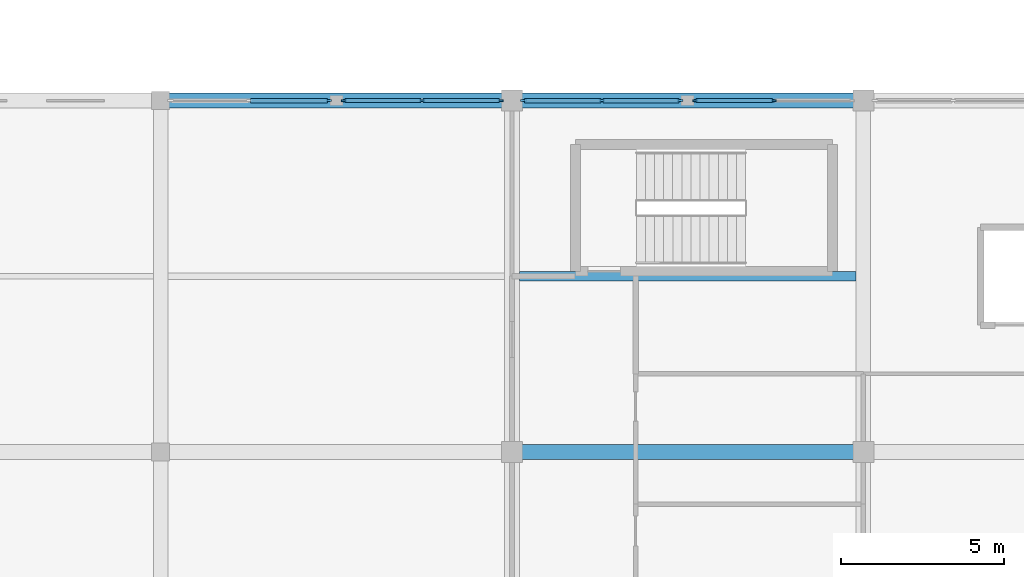
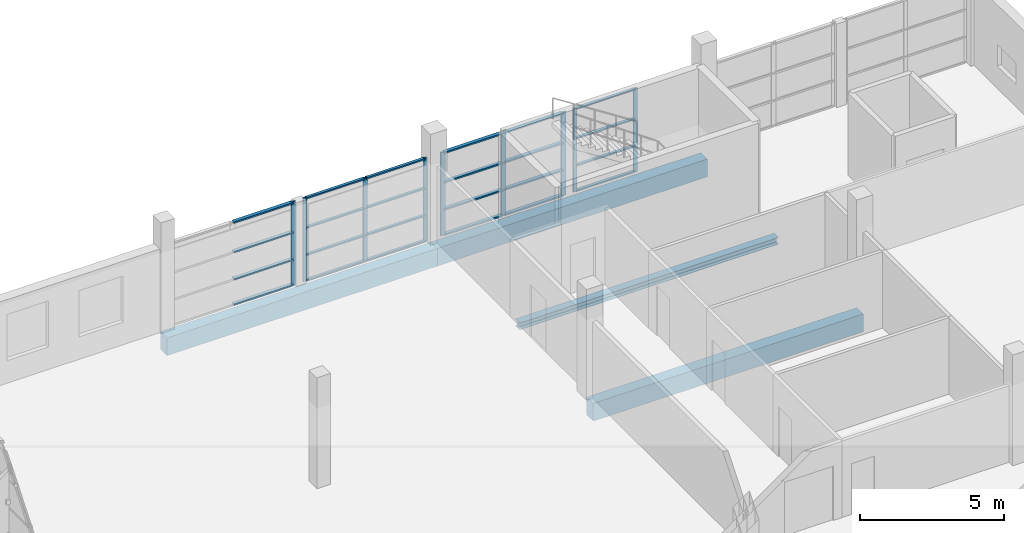
# One storey, part 8 of 24: 33 members, 4 beams, 4 elements without a shape of their own.
"""IFC4 building model written with IfcOpenShell, lengths in metres."""

from ifc_helpers import new_model, si_unit, direction, frame, origin, origin_2d, place, context, subcontext, project, spatial, rectangle, i_section, extrude, material, material_profile, profile_set, type_object, element, aggregate, save


model = new_model("IFC4")

# Units and contexts
model_context = context("Model", 3, precision=1e-05, world=origin(), true_north=direction((0.0, 1.0)))
body_context = subcontext(model_context, "Body", "Model", "MODEL_VIEW")
ifc_project = project(units=[si_unit("LENGTHUNIT", "METRE"), si_unit("AREAUNIT", "SQUARE_METRE"), si_unit("VOLUMEUNIT", "CUBIC_METRE"), si_unit("PLANEANGLEUNIT", "RADIAN"), si_unit("MASSUNIT", "GRAM", prefix="KILO")], contexts=[model_context])

# Site, building, storey
site_placement = place(None, origin())
site = spatial("IfcSite", under=ifc_project, at=site_placement, CompositionType="ELEMENT")
building_placement = place(site_placement, origin())
building = spatial("IfcBuilding", under=site, at=building_placement, Name="Zwinboog Wholesale Market", CompositionType="ELEMENT")
storey_placement = place(building_placement, frame((0.0, 0.0, 10.080078125)))
storey = spatial("IfcBuildingStorey", under=building, at=storey_placement, Name="L02", CompositionType="ELEMENT", Elevation=10.080078125)

# Beams
ifc_material_1 = material(Name="Precast concrete C45/55", Category="concrete")
ifc_material_profile_1 = material_profile(ifc_material_1, rectangle(XDim=0.449951171875, YDim=0.75, at=origin_2d()), Name="PC 450x750")
ifc_profile_set_1 = profile_set([ifc_material_profile_1], Name="Precast concrete C45/55")
beam_type_1 = type_object("IfcBeamType", Name="BT-04", PredefinedType="BEAM", material=ifc_profile_set_1)
for number, where, z_axis, x_axis, name in (
    (1, (151.199951171875, 32.39990234375, -0.68017578125), (1.0, 0.0, 0.0), (0.0, 1.0, 0.0), "BG-04 (BMG-L02-1512-0324-0943)"),
    (2, (140.39990234375, 43.199951171875, -0.68017578125), (1.0, 0.0, 0.0), (0.0, 1.0, 0.0), "BG-04 (BMG-L02-1404-0432-0950)"),
    (3, (151.199951171875, 43.199951171875, -0.68017578125), (1.0, 0.0, 0.0), (0.0, 1.0, 0.0), "BG-04 (BMG-L02-1512-0432-0951)"),
):
    element("IfcBeam", number, at=place(storey_placement, frame(where, z_axis=z_axis, x_axis=x_axis)), inside=storey, type_object=beam_type_1, Name=name, PredefinedType="BEAM", context=body_context, shape_type="SweptSolid", body=[
        extrude(rectangle(XDim=0.449951171875, YDim=0.75, at=origin_2d()), origin(), (0.0, 0.0, 1.0), 10.800048828125),
    ])
ifc_material_2 = material(Name="Steel S355", Category="steel")
ifc_material_profile_2 = material_profile(ifc_material_2, i_section(OverallWidth=0.300048828125, OverallDepth=0.2900390625, WebThickness=0.008544921875, FlangeThickness=0.013916015625, FilletRadius=0.027099609375, at=origin_2d()), Name="HEA 300")
ifc_profile_set_2 = profile_set([ifc_material_profile_2], Name="Steel S355")
beam_type_2 = type_object("IfcBeamType", Name="BT-18", PredefinedType="JOIST", material=ifc_profile_set_2)
beam_placement = place(storey_placement, frame((151.425048828125, 37.800048828125, -0.4501953125), z_axis=(1.0, 0.0, 0.0), x_axis=(0.0, 1.0, 0.0)))
element("IfcBeam", 4, at=beam_placement, inside=storey, type_object=beam_type_2, Name="SJ-01 (BMG-L02-1514-0378-1005)", PredefinedType="JOIST", context=body_context, shape_type="SweptSolid", body=[
    extrude(i_section(OverallWidth=0.300048828125, OverallDepth=0.2900390625, WebThickness=0.008544921875, FlangeThickness=0.013916015625, FilletRadius=0.027099609375, at=origin_2d()), origin(), (0.0, 0.0, 1.0), 10.349853515625),
])

# Curtain wall, member
ifc_material_3 = material(Name="Aluminium thermally broken curtain wall", Category="aluminium")
curtain_wall_type_1 = type_object("IfcCurtainWallType", Name="CWT-CAFE-22", PredefinedType="USERDEFINED", material=ifc_material_3)
curtain_wall_1_placement = place(storey_placement, origin())
curtain_wall_1 = element("IfcCurtainWall", 5, at=curtain_wall_1_placement, inside=storey, type_object=curtain_wall_type_1, Name="CW-05 (CW-L02-161)", ObjectType="STOREFRONT_GLAZING", PredefinedType="USERDEFINED")
ifc_material_4 = material(Name="Aluminium EN AW-6060", Category="aluminium")
ifc_material_profile_3 = material_profile(ifc_material_4, rectangle(XDim=0.06494140625, YDim=0.179931640625, at=origin_2d()), Name="AL 65x180")
ifc_profile_set_3 = profile_set([ifc_material_profile_3], Name="Aluminium EN AW-6060")
member_type_1 = type_object("IfcMemberType", Name="CWM-65x180", PredefinedType="MULLION", material=ifc_profile_set_3)
member_1_placement = place(storey_placement, frame((145.5673828125, 43.199951171875, 0.0), z_axis=(0.0, 0.0, 1.0), x_axis=(0.0, 1.0, 0.0)))
member_1 = element("IfcMember", 6, at=member_1_placement, type_object=member_type_1, Name="CW-05 mullion 3", PredefinedType="MULLION", context=body_context, shape_type="SweptSolid", body=[
    extrude(rectangle(XDim=0.06494140625, YDim=0.179931640625, at=origin_2d()), origin(), (0.0, 0.0, 1.0), 3.530029296875),
])

# Curtain wall, members
curtain_wall_type_2 = type_object("IfcCurtainWallType", Name="CWT-STALL-18", PredefinedType="USERDEFINED", material=ifc_material_3)
curtain_wall_2_placement = place(storey_placement, origin())
curtain_wall_2 = element("IfcCurtainWall", 7, at=curtain_wall_2_placement, inside=storey, type_object=curtain_wall_type_2, Name="CW-01 (CW-L02-163)", ObjectType="STOREFRONT_GLAZING", PredefinedType="USERDEFINED")
member_2_placement = place(storey_placement, frame((151.552490234375, 43.199951171875, 0.0), z_axis=(0.0, 0.0, 1.0), x_axis=(0.0, 1.0, 0.0)))
member_2 = element("IfcMember", 8, at=member_2_placement, type_object=member_type_1, Name="CW-01 mullion 1", PredefinedType="MULLION", context=body_context, shape_type="SweptSolid", body=[
    extrude(rectangle(XDim=0.06494140625, YDim=0.179931640625, at=origin_2d()), origin(), (0.0, 0.0, 1.0), 3.530029296875),
])
member_3_placement = place(storey_placement, frame((153.9599609375, 43.199951171875, 0.0), z_axis=(0.0, 0.0, 1.0), x_axis=(0.0, 1.0, 0.0)))
member_3 = element("IfcMember", 9, at=member_3_placement, type_object=member_type_1, Name="CW-01 mullion 2", PredefinedType="MULLION", context=body_context, shape_type="SweptSolid", body=[
    extrude(rectangle(XDim=0.06494140625, YDim=0.179931640625, at=origin_2d()), origin(), (0.0, 0.0, 1.0), 3.530029296875),
])
member_4_placement = place(storey_placement, frame((156.367431640625, 43.199951171875, 0.0), z_axis=(0.0, 0.0, 1.0), x_axis=(0.0, 1.0, 0.0)))
member_4 = element("IfcMember", 10, at=member_4_placement, type_object=member_type_1, Name="CW-01 mullion 3", PredefinedType="MULLION", context=body_context, shape_type="SweptSolid", body=[
    extrude(rectangle(XDim=0.06494140625, YDim=0.179931640625, at=origin_2d()), origin(), (0.0, 0.0, 1.0), 3.530029296875),
])

curtain_wall_type_3 = type_object("IfcCurtainWallType", Name="CWT-OFF-15", PredefinedType="USERDEFINED", material=ifc_material_3)
curtain_wall_3_placement = place(storey_placement, origin())
curtain_wall_3 = element("IfcCurtainWall", 11, at=curtain_wall_3_placement, inside=storey, type_object=curtain_wall_type_3, Name="CW-06 (CW-L02-162)", ObjectType="UNITIZED_CURTAIN_WALL", PredefinedType="USERDEFINED")
ifc_material_profile_4 = material_profile(ifc_material_4, rectangle(XDim=0.06005859375, YDim=0.14990234375, at=origin_2d()), Name="AL 60x150")
ifc_profile_set_4 = profile_set([ifc_material_profile_4], Name="Aluminium EN AW-6060")
member_type_2 = type_object("IfcMemberType", Name="CWM-60x150", PredefinedType="MULLION", material=ifc_profile_set_4)
member_5_placement = place(storey_placement, frame((146.030029296875, 43.199951171875, 0.0), z_axis=(0.0, 0.0, 1.0), x_axis=(0.0, 1.0, 0.0)))
member_5 = element("IfcMember", 12, at=member_5_placement, type_object=member_type_2, Name="CW-06 mullion 1", PredefinedType="MULLION", context=body_context, shape_type="SweptSolid", body=[
    extrude(rectangle(XDim=0.06005859375, YDim=0.14990234375, at=origin_2d()), origin(), (0.0, 0.0, 1.0), 3.530029296875),
])
member_6_placement = place(storey_placement, frame((148.43994140625, 43.199951171875, 0.0), z_axis=(0.0, 0.0, 1.0), x_axis=(0.0, 1.0, 0.0)))
member_6 = element("IfcMember", 13, at=member_6_placement, type_object=member_type_2, Name="CW-06 mullion 2", PredefinedType="MULLION", context=body_context, shape_type="SweptSolid", body=[
    extrude(rectangle(XDim=0.06005859375, YDim=0.14990234375, at=origin_2d()), origin(), (0.0, 0.0, 1.0), 3.530029296875),
])
member_7_placement = place(storey_placement, frame((150.85009765625, 43.199951171875, 0.0), z_axis=(0.0, 0.0, 1.0), x_axis=(0.0, 1.0, 0.0)))
member_7 = element("IfcMember", 14, at=member_7_placement, type_object=member_type_2, Name="CW-06 mullion 3", PredefinedType="MULLION", context=body_context, shape_type="SweptSolid", body=[
    extrude(rectangle(XDim=0.06005859375, YDim=0.14990234375, at=origin_2d()), origin(), (0.0, 0.0, 1.0), 3.530029296875),
])

curtain_wall_type_4 = type_object("IfcCurtainWallType", Name="CWT-STALL-20", PredefinedType="USERDEFINED", material=ifc_material_3)
curtain_wall_4_placement = place(storey_placement, origin())
curtain_wall_4 = element("IfcCurtainWall", 15, at=curtain_wall_4_placement, inside=storey, type_object=curtain_wall_type_4, Name="CW-02 (CW-L02-164)", ObjectType="STOREFRONT_GLAZING", PredefinedType="USERDEFINED")
member_8_placement = place(storey_placement, frame((156.830078125, 43.199951171875, 0.0), z_axis=(0.0, 0.0, 1.0), x_axis=(0.0, 1.0, 0.0)))
member_8 = element("IfcMember", 16, at=member_8_placement, type_object=member_type_2, Name="CW-02 mullion 1", PredefinedType="MULLION", context=body_context, shape_type="SweptSolid", body=[
    extrude(rectangle(XDim=0.06005859375, YDim=0.14990234375, at=origin_2d()), origin(), (0.0, 0.0, 1.0), 3.530029296875),
])
member_9_placement = place(storey_placement, frame((159.239990234375, 43.199951171875, 0.0), z_axis=(0.0, 0.0, 1.0), x_axis=(0.0, 1.0, 0.0)))
member_9 = element("IfcMember", 17, at=member_9_placement, type_object=member_type_2, Name="CW-02 mullion 2", PredefinedType="MULLION", context=body_context, shape_type="SweptSolid", body=[
    extrude(rectangle(XDim=0.06005859375, YDim=0.14990234375, at=origin_2d()), origin(), (0.0, 0.0, 1.0), 3.530029296875),
])

# Member
ifc_material_profile_5 = material_profile(ifc_material_4, rectangle(XDim=0.139892578125, YDim=0.06494140625, at=origin_2d()), Name="AL 65x140")
ifc_profile_set_5 = profile_set([ifc_material_profile_5], Name="Aluminium EN AW-6060")
member_type_3 = type_object("IfcMemberType", Name="CWT-65x140", PredefinedType="USERDEFINED", material=ifc_profile_set_5)
member_10_placement = place(storey_placement, frame((143.16748046875, 43.199951171875, 0.032470703125), z_axis=(1.0, 0.0, 0.0), x_axis=(0.0, 1.0, 0.0)))
member_10 = element("IfcMember", 18, at=member_10_placement, type_object=member_type_3, Name="CW-05 transom 2.1", ObjectType="TRANSOM", PredefinedType="USERDEFINED", context=body_context, shape_type="SweptSolid", body=[
    extrude(rectangle(XDim=0.139892578125, YDim=0.06494140625, at=origin_2d()), origin(), (0.0, 0.0, 1.0), 2.367431640625),
])

member_11_placement = place(storey_placement, frame((143.16748046875, 43.199951171875, 1.099853515625), z_axis=(1.0, 0.0, 0.0), x_axis=(0.0, 1.0, 0.0)))
member_11 = element("IfcMember", 19, at=member_11_placement, type_object=member_type_3, Name="CW-05 transom 2.2", ObjectType="TRANSOM", PredefinedType="USERDEFINED", context=body_context, shape_type="SweptSolid", body=[
    extrude(rectangle(XDim=0.139892578125, YDim=0.06494140625, at=origin_2d()), origin(), (0.0, 0.0, 1.0), 2.367431640625),
])

member_12_placement = place(storey_placement, frame((143.16748046875, 43.199951171875, 2.25), z_axis=(1.0, 0.0, 0.0), x_axis=(0.0, 1.0, 0.0)))
member_12 = element("IfcMember", 20, at=member_12_placement, type_object=member_type_3, Name="CW-05 transom 2.3", ObjectType="TRANSOM", PredefinedType="USERDEFINED", context=body_context, shape_type="SweptSolid", body=[
    extrude(rectangle(XDim=0.139892578125, YDim=0.06494140625, at=origin_2d()), origin(), (0.0, 0.0, 1.0), 2.367431640625),
])

member_13_placement = place(storey_placement, frame((143.16748046875, 43.199951171875, 3.497314453125), z_axis=(1.0, 0.0, 0.0), x_axis=(0.0, 1.0, 0.0)))
member_13 = element("IfcMember", 21, at=member_13_placement, type_object=member_type_3, Name="CW-05 transom 2.4", ObjectType="TRANSOM", PredefinedType="USERDEFINED", context=body_context, shape_type="SweptSolid", body=[
    extrude(rectangle(XDim=0.139892578125, YDim=0.06494140625, at=origin_2d()), origin(), (0.0, 0.0, 1.0), 2.367431640625),
])

aggregate(curtain_wall_1, [member_1, member_10, member_11, member_12, member_13])

member_14_placement = place(storey_placement, frame((151.5849609375, 43.199951171875, 0.032470703125), z_axis=(1.0, 0.0, 0.0), x_axis=(0.0, 1.0, 0.0)))
member_14 = element("IfcMember", 22, at=member_14_placement, type_object=member_type_3, Name="CW-01 transom 1.1", ObjectType="TRANSOM", PredefinedType="USERDEFINED", context=body_context, shape_type="SweptSolid", body=[
    extrude(rectangle(XDim=0.139892578125, YDim=0.06494140625, at=origin_2d()), origin(), (0.0, 0.0, 1.0), 2.342529296875),
])

member_15_placement = place(storey_placement, frame((151.5849609375, 43.199951171875, 1.099853515625), z_axis=(1.0, 0.0, 0.0), x_axis=(0.0, 1.0, 0.0)))
member_15 = element("IfcMember", 23, at=member_15_placement, type_object=member_type_3, Name="CW-01 transom 1.2", ObjectType="TRANSOM", PredefinedType="USERDEFINED", context=body_context, shape_type="SweptSolid", body=[
    extrude(rectangle(XDim=0.139892578125, YDim=0.06494140625, at=origin_2d()), origin(), (0.0, 0.0, 1.0), 2.342529296875),
])

member_16_placement = place(storey_placement, frame((151.5849609375, 43.199951171875, 2.25), z_axis=(1.0, 0.0, 0.0), x_axis=(0.0, 1.0, 0.0)))
member_16 = element("IfcMember", 24, at=member_16_placement, type_object=member_type_3, Name="CW-01 transom 1.3", ObjectType="TRANSOM", PredefinedType="USERDEFINED", context=body_context, shape_type="SweptSolid", body=[
    extrude(rectangle(XDim=0.139892578125, YDim=0.06494140625, at=origin_2d()), origin(), (0.0, 0.0, 1.0), 2.342529296875),
])

member_17_placement = place(storey_placement, frame((151.5849609375, 43.199951171875, 3.497314453125), z_axis=(1.0, 0.0, 0.0), x_axis=(0.0, 1.0, 0.0)))
member_17 = element("IfcMember", 25, at=member_17_placement, type_object=member_type_3, Name="CW-01 transom 1.4", ObjectType="TRANSOM", PredefinedType="USERDEFINED", context=body_context, shape_type="SweptSolid", body=[
    extrude(rectangle(XDim=0.139892578125, YDim=0.06494140625, at=origin_2d()), origin(), (0.0, 0.0, 1.0), 2.342529296875),
])

member_18_placement = place(storey_placement, frame((153.992431640625, 43.199951171875, 0.032470703125), z_axis=(1.0, 0.0, 0.0), x_axis=(0.0, 1.0, 0.0)))
member_18 = element("IfcMember", 26, at=member_18_placement, type_object=member_type_3, Name="CW-01 transom 2.1", ObjectType="TRANSOM", PredefinedType="USERDEFINED", context=body_context, shape_type="SweptSolid", body=[
    extrude(rectangle(XDim=0.139892578125, YDim=0.06494140625, at=origin_2d()), origin(), (0.0, 0.0, 1.0), 2.342529296875),
])

member_19_placement = place(storey_placement, frame((153.992431640625, 43.199951171875, 1.099853515625), z_axis=(1.0, 0.0, 0.0), x_axis=(0.0, 1.0, 0.0)))
member_19 = element("IfcMember", 27, at=member_19_placement, type_object=member_type_3, Name="CW-01 transom 2.2", ObjectType="TRANSOM", PredefinedType="USERDEFINED", context=body_context, shape_type="SweptSolid", body=[
    extrude(rectangle(XDim=0.139892578125, YDim=0.06494140625, at=origin_2d()), origin(), (0.0, 0.0, 1.0), 2.342529296875),
])

member_20_placement = place(storey_placement, frame((153.992431640625, 43.199951171875, 2.25), z_axis=(1.0, 0.0, 0.0), x_axis=(0.0, 1.0, 0.0)))
member_20 = element("IfcMember", 28, at=member_20_placement, type_object=member_type_3, Name="CW-01 transom 2.3", ObjectType="TRANSOM", PredefinedType="USERDEFINED", context=body_context, shape_type="SweptSolid", body=[
    extrude(rectangle(XDim=0.139892578125, YDim=0.06494140625, at=origin_2d()), origin(), (0.0, 0.0, 1.0), 2.342529296875),
])

member_21_placement = place(storey_placement, frame((153.992431640625, 43.199951171875, 3.497314453125), z_axis=(1.0, 0.0, 0.0), x_axis=(0.0, 1.0, 0.0)))
member_21 = element("IfcMember", 29, at=member_21_placement, type_object=member_type_3, Name="CW-01 transom 2.4", ObjectType="TRANSOM", PredefinedType="USERDEFINED", context=body_context, shape_type="SweptSolid", body=[
    extrude(rectangle(XDim=0.139892578125, YDim=0.06494140625, at=origin_2d()), origin(), (0.0, 0.0, 1.0), 2.342529296875),
])

aggregate(curtain_wall_2, [member_2, member_3, member_4, member_14, member_15, member_16, member_17, member_18, member_19, member_20, member_21])

ifc_material_profile_6 = material_profile(ifc_material_4, rectangle(XDim=0.110107421875, YDim=0.06005859375, at=origin_2d()), Name="AL 60x110")
ifc_profile_set_6 = profile_set([ifc_material_profile_6], Name="Aluminium EN AW-6060")
member_type_4 = type_object("IfcMemberType", Name="CWT-60x110", PredefinedType="USERDEFINED", material=ifc_profile_set_6)
member_22_placement = place(storey_placement, frame((146.06005859375, 43.199951171875, 0.030029296875), z_axis=(1.0, 0.0, 0.0), x_axis=(0.0, 1.0, 0.0)))
member_22 = element("IfcMember", 30, at=member_22_placement, type_object=member_type_4, Name="CW-06 transom 1.1", ObjectType="TRANSOM", PredefinedType="USERDEFINED", context=body_context, shape_type="SweptSolid", body=[
    extrude(rectangle(XDim=0.110107421875, YDim=0.06005859375, at=origin_2d()), origin(), (0.0, 0.0, 1.0), 2.349853515625),
])

member_23_placement = place(storey_placement, frame((146.06005859375, 43.199951171875, 1.099853515625), z_axis=(1.0, 0.0, 0.0), x_axis=(0.0, 1.0, 0.0)))
member_23 = element("IfcMember", 31, at=member_23_placement, type_object=member_type_4, Name="CW-06 transom 1.2", ObjectType="TRANSOM", PredefinedType="USERDEFINED", context=body_context, shape_type="SweptSolid", body=[
    extrude(rectangle(XDim=0.110107421875, YDim=0.06005859375, at=origin_2d()), origin(), (0.0, 0.0, 1.0), 2.349853515625),
])

member_24_placement = place(storey_placement, frame((146.06005859375, 43.199951171875, 2.25), z_axis=(1.0, 0.0, 0.0), x_axis=(0.0, 1.0, 0.0)))
member_24 = element("IfcMember", 32, at=member_24_placement, type_object=member_type_4, Name="CW-06 transom 1.3", ObjectType="TRANSOM", PredefinedType="USERDEFINED", context=body_context, shape_type="SweptSolid", body=[
    extrude(rectangle(XDim=0.110107421875, YDim=0.06005859375, at=origin_2d()), origin(), (0.0, 0.0, 1.0), 2.349853515625),
])

member_25_placement = place(storey_placement, frame((146.06005859375, 43.199951171875, 3.5), z_axis=(1.0, 0.0, 0.0), x_axis=(0.0, 1.0, 0.0)))
member_25 = element("IfcMember", 33, at=member_25_placement, type_object=member_type_4, Name="CW-06 transom 1.4", ObjectType="TRANSOM", PredefinedType="USERDEFINED", context=body_context, shape_type="SweptSolid", body=[
    extrude(rectangle(XDim=0.110107421875, YDim=0.06005859375, at=origin_2d()), origin(), (0.0, 0.0, 1.0), 2.349853515625),
])

member_26_placement = place(storey_placement, frame((148.469970703125, 43.199951171875, 0.030029296875), z_axis=(1.0, 0.0, 0.0), x_axis=(0.0, 1.0, 0.0)))
member_26 = element("IfcMember", 34, at=member_26_placement, type_object=member_type_4, Name="CW-06 transom 2.1", ObjectType="TRANSOM", PredefinedType="USERDEFINED", context=body_context, shape_type="SweptSolid", body=[
    extrude(rectangle(XDim=0.110107421875, YDim=0.06005859375, at=origin_2d()), origin(), (0.0, 0.0, 1.0), 2.35009765625),
])

member_27_placement = place(storey_placement, frame((148.469970703125, 43.199951171875, 1.099853515625), z_axis=(1.0, 0.0, 0.0), x_axis=(0.0, 1.0, 0.0)))
member_27 = element("IfcMember", 35, at=member_27_placement, type_object=member_type_4, Name="CW-06 transom 2.2", ObjectType="TRANSOM", PredefinedType="USERDEFINED", context=body_context, shape_type="SweptSolid", body=[
    extrude(rectangle(XDim=0.110107421875, YDim=0.06005859375, at=origin_2d()), origin(), (0.0, 0.0, 1.0), 2.35009765625),
])

member_28_placement = place(storey_placement, frame((148.469970703125, 43.199951171875, 2.25), z_axis=(1.0, 0.0, 0.0), x_axis=(0.0, 1.0, 0.0)))
member_28 = element("IfcMember", 36, at=member_28_placement, type_object=member_type_4, Name="CW-06 transom 2.3", ObjectType="TRANSOM", PredefinedType="USERDEFINED", context=body_context, shape_type="SweptSolid", body=[
    extrude(rectangle(XDim=0.110107421875, YDim=0.06005859375, at=origin_2d()), origin(), (0.0, 0.0, 1.0), 2.35009765625),
])

member_29_placement = place(storey_placement, frame((148.469970703125, 43.199951171875, 3.5), z_axis=(1.0, 0.0, 0.0), x_axis=(0.0, 1.0, 0.0)))
member_29 = element("IfcMember", 37, at=member_29_placement, type_object=member_type_4, Name="CW-06 transom 2.4", ObjectType="TRANSOM", PredefinedType="USERDEFINED", context=body_context, shape_type="SweptSolid", body=[
    extrude(rectangle(XDim=0.110107421875, YDim=0.06005859375, at=origin_2d()), origin(), (0.0, 0.0, 1.0), 2.35009765625),
])

aggregate(curtain_wall_3, [member_5, member_6, member_7, member_22, member_23, member_24, member_25, member_26, member_27, member_28, member_29])

member_30_placement = place(storey_placement, frame((156.860107421875, 43.199951171875, 0.030029296875), z_axis=(1.0, 0.0, 0.0), x_axis=(0.0, 1.0, 0.0)))
member_30 = element("IfcMember", 38, at=member_30_placement, type_object=member_type_4, Name="CW-02 transom 1.1", ObjectType="TRANSOM", PredefinedType="USERDEFINED", context=body_context, shape_type="SweptSolid", body=[
    extrude(rectangle(XDim=0.110107421875, YDim=0.06005859375, at=origin_2d()), origin(), (0.0, 0.0, 1.0), 2.349853515625),
])

member_31_placement = place(storey_placement, frame((156.860107421875, 43.199951171875, 1.099853515625), z_axis=(1.0, 0.0, 0.0), x_axis=(0.0, 1.0, 0.0)))
member_31 = element("IfcMember", 39, at=member_31_placement, type_object=member_type_4, Name="CW-02 transom 1.2", ObjectType="TRANSOM", PredefinedType="USERDEFINED", context=body_context, shape_type="SweptSolid", body=[
    extrude(rectangle(XDim=0.110107421875, YDim=0.06005859375, at=origin_2d()), origin(), (0.0, 0.0, 1.0), 2.349853515625),
])

member_32_placement = place(storey_placement, frame((156.860107421875, 43.199951171875, 2.25), z_axis=(1.0, 0.0, 0.0), x_axis=(0.0, 1.0, 0.0)))
member_32 = element("IfcMember", 40, at=member_32_placement, type_object=member_type_4, Name="CW-02 transom 1.3", ObjectType="TRANSOM", PredefinedType="USERDEFINED", context=body_context, shape_type="SweptSolid", body=[
    extrude(rectangle(XDim=0.110107421875, YDim=0.06005859375, at=origin_2d()), origin(), (0.0, 0.0, 1.0), 2.349853515625),
])

member_33_placement = place(storey_placement, frame((156.860107421875, 43.199951171875, 3.5), z_axis=(1.0, 0.0, 0.0), x_axis=(0.0, 1.0, 0.0)))
member_33 = element("IfcMember", 41, at=member_33_placement, type_object=member_type_4, Name="CW-02 transom 1.4", ObjectType="TRANSOM", PredefinedType="USERDEFINED", context=body_context, shape_type="SweptSolid", body=[
    extrude(rectangle(XDim=0.110107421875, YDim=0.06005859375, at=origin_2d()), origin(), (0.0, 0.0, 1.0), 2.349853515625),
])

aggregate(curtain_wall_4, [member_8, member_9, member_30, member_31, member_32, member_33])

save(model, "model.ifc")
